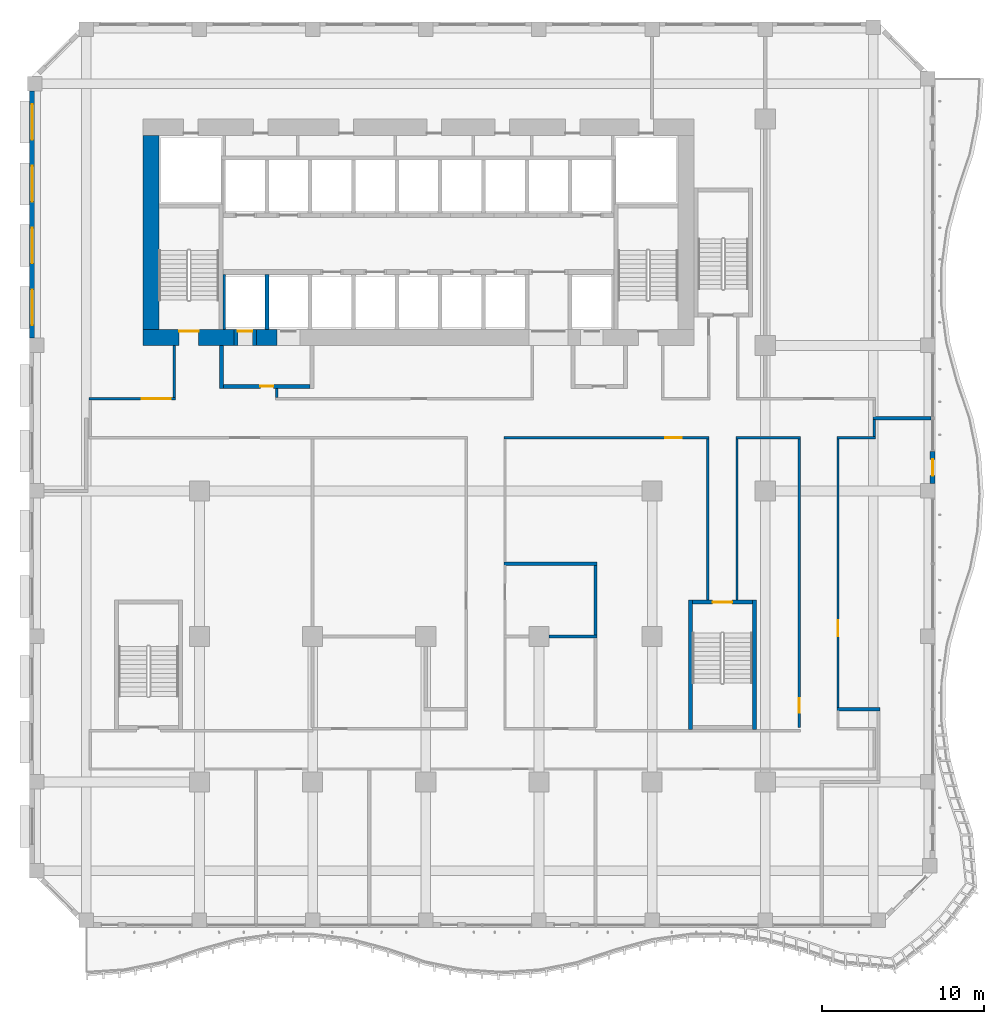
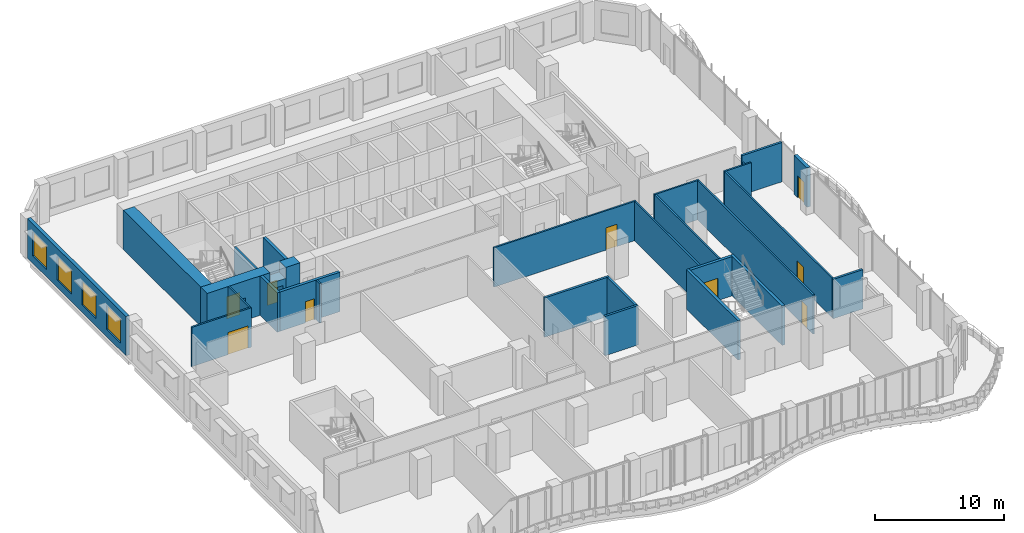
# One storey, part 13 of 26: 29 walls, 9 doors, 4 windows, 13 openings.
"""IFC4 building model written with IfcOpenShell, lengths in metres."""

from ifc_helpers import new_model, si_unit, direction, frame, frame_2d, origin, place, context, subcontext, project, spatial, rectangle, extrude, source, transform, mapped, material, layer, layer_set, type_object, element, fill, save


model = new_model("IFC4")

# Units and contexts
model_context = context("Model", 3, precision=1e-05, world=origin(), true_north=direction((0.0, 1.0)))
body_context = subcontext(model_context, "Body", "Model", "MODEL_VIEW")
ifc_project = project(units=[si_unit("LENGTHUNIT", "METRE"), si_unit("AREAUNIT", "SQUARE_METRE"), si_unit("VOLUMEUNIT", "CUBIC_METRE"), si_unit("PLANEANGLEUNIT", "RADIAN"), si_unit("MASSUNIT", "GRAM", prefix="KILO")], contexts=[model_context])

# Site, building, storey
site_placement = place(None, origin())
site = spatial("IfcSite", under=ifc_project, at=site_placement, CompositionType="ELEMENT")
building_placement = place(site_placement, origin())
building = spatial("IfcBuilding", under=site, at=building_placement, Name="Kilnfold Tower and Market Hall", CompositionType="ELEMENT")
storey_placement = place(building_placement, frame((0.0, 0.0, 83.199951171875)))
storey = spatial("IfcBuildingStorey", under=building, at=storey_placement, Name="L19", CompositionType="ELEMENT", Elevation=83.199951171875)

# Wall, opening, door
ifc_material_1 = material(Name="Gypsum board on steel studs", Category="steel")
ifc_layer_1 = layer(ifc_material_1, 0.14990234375)
ifc_layer_set_1 = layer_set([ifc_layer_1], Name="Gypsum board on steel studs")
wall_type_1 = type_object("IfcWallType", Name="WALL CORRIDOR 150", PredefinedType="PARTITIONING", material=ifc_layer_set_1)
wall_1_placement = place(storey_placement, frame((-19.324951171875, 4.699951171875, 0.0), z_axis=(0.0, 0.0, 1.0), x_axis=(1.0, 0.0, 0.0)))
wall_1 = element("IfcWall", 1, at=wall_1_placement, inside=storey, type_object=wall_type_1, Name="Partition LY13.7", PredefinedType="PARTITIONING", context=body_context, shape_type="SweptSolid", body=[
    extrude(rectangle(XDim=5.349853515625, YDim=0.14990234375, at=frame_2d((2.6748046875, 0.0))), origin(), (0.0, 0.0, 1.0), 3.719970703125),
])
opening_1_placement = place(wall_1_placement, frame((3.248046875, 0.0, 0.0)))
opening_1 = element("IfcOpeningElement", 2, at=opening_1_placement, cuts=wall_1, Name="Opening D5", PredefinedType="OPENING", context=body_context, shape_type="SweptSolid", body=[
    extrude(rectangle(XDim=1.800048828125, YDim=2.10009765625, at=frame_2d((0.89990234375, 1.050048828125))), frame((0.0, 0.0849609375, 0.0), z_axis=(0.0, -1.0, 0.0), x_axis=(1.0, 0.0, 0.0)), (0.0, 0.0, 1.0), 0.169921875),
])
ifc_material_2 = material(Name="Timber veneer door leaf in steel frame", Category="steel")
door_type_1 = type_object("IfcDoorType", Name="DOOR DOUBLE 1800 X2100", OperationType="NOTDEFINED", PredefinedType="DOOR", material=ifc_material_2)
door_1_placement = place(opening_1_placement, origin())
door_1 = element("IfcDoor", 3, at=door_1_placement, inside=storey, type_object=door_type_1, Name="Door D5", OperationType="DOUBLE_DOOR_SINGLE_SWING", OverallHeight=2.10009765625, OverallWidth=1.800048828125, PredefinedType="DOOR", context=body_context, shape_type="SweptSolid", body=[
    extrude(rectangle(XDim=1.800048828125, YDim=2.10009765625, at=frame_2d((0.89990234375, 1.050048828125))), frame((0.0, 0.02490234375, 0.0), z_axis=(0.0, -1.0, 0.0), x_axis=(1.0, 0.0, 0.0)), (0.0, 0.0, 1.0), 0.050048828125),
])
fill(opening_1, door_1)

# Walls
wall_2_placement = place(storey_placement, frame((-14.050048828125, 8.0, 0.0), z_axis=(0.0, 0.0, 1.0), x_axis=(0.0, -1.0, 0.0)))
element("IfcWall", 4, at=wall_2_placement, inside=storey, type_object=wall_type_1, Name="Partition LY13.8", PredefinedType="PARTITIONING", context=body_context, shape_type="SweptSolid", body=[
    extrude(rectangle(XDim=3.22509765625, YDim=0.14990234375, at=frame_2d((1.612548828125, 0.0))), origin(), (0.0, 0.0, 1.0), 3.719970703125),
])
wall_3_placement = place(storey_placement, frame((-7.72998046875, 4.77490234375, 0.0), z_axis=(0.0, 0.0, 1.0), x_axis=(0.0, 1.0, 0.0)))
element("IfcWall", 5, at=wall_3_placement, inside=storey, type_object=wall_type_1, Name="Partition LY13.9", PredefinedType="PARTITIONING", context=body_context, shape_type="SweptSolid", body=[
    extrude(rectangle(XDim=0.5751953125, YDim=0.14990234375, at=frame_2d((0.28759765625, 0.0))), origin(), (0.0, 0.0, 1.0), 3.719970703125),
])
wall_4_placement = place(storey_placement, frame((18.949951171875, 2.22509765625, 0.0), z_axis=(0.0, 0.0, 1.0), x_axis=(0.0, -1.0, 0.0)))
element("IfcWall", 6, at=wall_4_placement, inside=storey, type_object=wall_type_1, Name="Partition LY13.21", PredefinedType="PARTITIONING", context=body_context, shape_type="SweptSolid", body=[
    extrude(rectangle(XDim=9.97509765625, YDim=0.14990234375, at=frame_2d((4.987548828125, 0.0))), origin(), (0.0, 0.0, 1.0), 3.719970703125),
])

# Wall, opening, door
wall_5_placement = place(storey_placement, frame((6.324951171875, 2.300048828125, 0.0), z_axis=(0.0, 0.0, 1.0), x_axis=(1.0, 0.0, 0.0)))
wall_5 = element("IfcWall", 7, at=wall_5_placement, inside=storey, type_object=wall_type_1, Name="Partition LY13.22", PredefinedType="PARTITIONING", context=body_context, shape_type="SweptSolid", body=[
    extrude(rectangle(XDim=12.699951171875, YDim=0.14990234375, at=frame_2d((6.35009765625, 0.0))), origin(), (0.0, 0.0, 1.0), 3.719970703125),
])
opening_2_placement = place(wall_5_placement, frame((10.0, 0.0, 0.0)))
opening_2 = element("IfcOpeningElement", 8, at=opening_2_placement, cuts=wall_5, Name="Opening D1", PredefinedType="OPENING", context=body_context, shape_type="SweptSolid", body=[
    extrude(rectangle(XDim=1.0, YDim=2.10009765625, at=frame_2d((0.5, 1.050048828125))), frame((0.0, 0.0849609375, 0.0), z_axis=(0.0, -1.0, 0.0), x_axis=(1.0, 0.0, 0.0)), (0.0, 0.0, 1.0), 0.169921875),
])
ifc_material_3 = material(Name="Timber veneer door leaf in steel frame", Category="steel")
door_type_2 = type_object("IfcDoorType", Name="DOOR ENTRY 1000 X2100", OperationType="NOTDEFINED", PredefinedType="DOOR", material=ifc_material_3)
door_2_placement = place(opening_2_placement, origin())
door_2 = element("IfcDoor", 9, at=door_2_placement, inside=storey, type_object=door_type_2, Name="Door D1", OperationType="SINGLE_SWING_LEFT", OverallHeight=2.10009765625, OverallWidth=1.0, PredefinedType="DOOR", context=body_context, shape_type="SweptSolid", body=[
    extrude(rectangle(XDim=1.0, YDim=2.10009765625, at=frame_2d((0.5, 1.050048828125))), frame((0.0, 0.02490234375, 0.0), z_axis=(0.0, -1.0, 0.0), x_axis=(1.0, 0.0, 0.0)), (0.0, 0.0, 1.0), 0.050048828125),
])
fill(opening_2, door_2)

wall_6_placement = place(storey_placement, frame((24.60009765625, 2.22509765625, 0.0), z_axis=(0.0, 0.0, 1.0), x_axis=(0.0, -1.0, 0.0)))
wall_6 = element("IfcWall", 10, at=wall_6_placement, inside=storey, type_object=wall_type_1, Name="Partition LY13.31", PredefinedType="PARTITIONING", context=body_context, shape_type="SweptSolid", body=[
    extrude(rectangle(XDim=17.85009765625, YDim=0.14990234375, at=frame_2d((8.925048828125, 0.0))), origin(), (0.0, 0.0, 1.0), 3.719970703125),
])
opening_3_placement = place(wall_6_placement, frame((16.048095703125, 0.0, 0.0)))
opening_3 = element("IfcOpeningElement", 11, at=opening_3_placement, cuts=wall_6, Name="Opening D2", PredefinedType="OPENING", context=body_context, shape_type="SweptSolid", body=[
    extrude(rectangle(XDim=0.89990234375, YDim=2.10009765625, at=frame_2d((0.449951171875, 1.050048828125))), frame((0.0, 0.0849609375, 0.0), z_axis=(0.0, -1.0, 0.0), x_axis=(1.0, 0.0, 0.0)), (0.0, 0.0, 1.0), 0.169921875),
])
ifc_material_4 = material(Name="Timber veneer door leaf in steel frame", Category="steel")
door_type_3 = type_object("IfcDoorType", Name="DOOR ROOM 900 X2100", OperationType="NOTDEFINED", PredefinedType="DOOR", material=ifc_material_4)
door_3_placement = place(opening_3_placement, origin())
door_3 = element("IfcDoor", 12, at=door_3_placement, inside=storey, type_object=door_type_3, Name="Door D2", OperationType="SINGLE_SWING_LEFT", OverallHeight=2.10009765625, OverallWidth=0.89990234375, PredefinedType="DOOR", context=body_context, shape_type="SweptSolid", body=[
    extrude(rectangle(XDim=0.89990234375, YDim=2.10009765625, at=frame_2d((0.449951171875, 1.050048828125))), frame((0.0, 0.02490234375, 0.0), z_axis=(0.0, -1.0, 0.0), x_axis=(1.0, 0.0, 0.0)), (0.0, 0.0, 1.0), 0.050048828125),
])
fill(opening_3, door_3)

# Walls
wall_7_placement = place(storey_placement, frame((20.675048828125, 2.300048828125, 0.0), z_axis=(0.0, 0.0, 1.0), x_axis=(1.0, 0.0, 0.0)))
element("IfcWall", 13, at=wall_7_placement, inside=storey, type_object=wall_type_1, Name="Partition LY13.32", PredefinedType="PARTITIONING", context=body_context, shape_type="SweptSolid", body=[
    extrude(rectangle(XDim=4.0, YDim=0.14990234375, at=frame_2d((2.0, 0.0))), origin(), (0.0, 0.0, 1.0), 3.719970703125),
])
wall_8_placement = place(storey_placement, frame((20.75, -7.75, 0.0), z_axis=(0.0, 0.0, 1.0), x_axis=(0.0, 1.0, 0.0)))
element("IfcWall", 14, at=wall_8_placement, inside=storey, type_object=wall_type_1, Name="Partition LY13.33", PredefinedType="PARTITIONING", context=body_context, shape_type="SweptSolid", body=[
    extrude(rectangle(XDim=9.97509765625, YDim=0.14990234375, at=frame_2d((4.987548828125, 0.0))), origin(), (0.0, 0.0, 1.0), 3.719970703125),
])
wall_9_placement = place(storey_placement, frame((29.25, 2.375, 0.0), z_axis=(0.0, 0.0, 1.0), x_axis=(0.0, 1.0, 0.0)))
element("IfcWall", 15, at=wall_9_placement, inside=storey, type_object=wall_type_1, Name="Partition LY13.34", PredefinedType="PARTITIONING", context=body_context, shape_type="SweptSolid", body=[
    extrude(rectangle(XDim=1.034912109375, YDim=0.14990234375, at=frame_2d((0.517578125, 0.0))), origin(), (0.0, 0.0, 1.0), 3.070068359375),
])
wall_10_placement = place(storey_placement, frame((26.925048828125, 2.300048828125, 0.0), z_axis=(0.0, 0.0, 1.0), x_axis=(1.0, 0.0, 0.0)))
element("IfcWall", 16, at=wall_10_placement, inside=storey, type_object=wall_type_1, Name="Partition LY13.35", PredefinedType="PARTITIONING", context=body_context, shape_type="SweptSolid", body=[
    extrude(rectangle(XDim=2.39990234375, YDim=0.14990234375, at=frame_2d((1.199951171875, 0.0))), origin(), (0.0, 0.0, 1.0), 3.719970703125),
])

# Wall, opening, door
wall_11_placement = place(storey_placement, frame((27.0, -14.409912109375, 0.0), z_axis=(0.0, 0.0, 1.0), x_axis=(0.0, 1.0, 0.0)))
wall_11 = element("IfcWall", 17, at=wall_11_placement, inside=storey, type_object=wall_type_1, Name="Partition LY13.36", PredefinedType="PARTITIONING", context=body_context, shape_type="SweptSolid", body=[
    extrude(rectangle(XDim=16.635009765625, YDim=0.14990234375, at=frame_2d((8.3173828125, 0.0))), origin(), (0.0, 0.0, 1.0), 3.719970703125),
])
opening_4_placement = place(wall_11_placement, frame((4.409912109375, 0.0, 0.0)))
opening_4 = element("IfcOpeningElement", 18, at=opening_4_placement, cuts=wall_11, Name="Opening D1", PredefinedType="OPENING", context=body_context, shape_type="SweptSolid", body=[
    extrude(rectangle(XDim=1.0, YDim=2.10009765625, at=frame_2d((0.5, 1.050048828125))), frame((0.0, 0.0849609375, 0.0), z_axis=(0.0, -1.0, 0.0), x_axis=(1.0, 0.0, 0.0)), (0.0, 0.0, 1.0), 0.169921875),
])
door_4_placement = place(opening_4_placement, origin())
door_4 = element("IfcDoor", 19, at=door_4_placement, inside=storey, type_object=door_type_2, Name="Door D1", OperationType="SINGLE_SWING_LEFT", OverallHeight=2.10009765625, OverallWidth=1.0, PredefinedType="DOOR", context=body_context, shape_type="SweptSolid", body=[
    extrude(rectangle(XDim=1.0, YDim=2.10009765625, at=frame_2d((0.5, 1.050048828125))), frame((0.0, 0.02490234375, 0.0), z_axis=(0.0, -1.0, 0.0), x_axis=(1.0, 0.0, 0.0)), (0.0, 0.0, 1.0), 0.050048828125),
])
fill(opening_4, door_4)

# Walls
ifc_material_5 = material(Name="Gypsum board on steel studs", Category="steel")
ifc_layer_2 = layer(ifc_material_5, 0.199951171875)
ifc_layer_set_2 = layer_set([ifc_layer_2], Name="Gypsum board on steel studs")
wall_type_2 = type_object("IfcWallType", Name="WALL PARTY 200", PredefinedType="PARTITIONING", material=ifc_layer_set_2)
wall_12_placement = place(storey_placement, frame((26.926025390625, -14.5, 0.0), z_axis=(0.0, 0.0, 1.0), x_axis=(1.0, 0.0, 0.0)))
element("IfcWall", 20, at=wall_12_placement, inside=storey, type_object=wall_type_2, Name="Partition LY13.48", PredefinedType="PARTITIONING", context=body_context, shape_type="SweptSolid", body=[
    extrude(rectangle(XDim=2.674072265625, YDim=0.199951171875, at=frame_2d((1.3369140625, 0.0))), origin(), (0.0, 0.0, 1.0), 3.719970703125),
])
wall_13_placement = place(storey_placement, frame((9.125, -10.0, 0.0), z_axis=(0.0, 0.0, 1.0), x_axis=(1.0, 0.0, 0.0)))
element("IfcWall", 21, at=wall_13_placement, inside=storey, type_object=wall_type_2, Name="Partition LY13.53", PredefinedType="PARTITIONING", context=body_context, shape_type="SweptSolid", body=[
    extrude(rectangle(XDim=2.97509765625, YDim=0.199951171875, at=frame_2d((1.487548828125, 0.0))), origin(), (0.0, 0.0, 1.0), 3.719970703125),
])
wall_14_placement = place(storey_placement, frame((12.10009765625, -5.5, 0.0), z_axis=(0.0, 0.0, 1.0), x_axis=(-1.0, 0.0, 0.0)))
element("IfcWall", 22, at=wall_14_placement, inside=storey, type_object=wall_type_2, Name="Partition LY13.55", PredefinedType="PARTITIONING", context=body_context, shape_type="SweptSolid", body=[
    extrude(rectangle(XDim=5.774169921875, YDim=0.199951171875, at=frame_2d((2.88720703125, 0.0))), origin(), (0.0, 0.0, 1.0), 3.719970703125),
])
wall_15_placement = place(storey_placement, frame((12.0, -9.89990234375, 0.0), z_axis=(0.0, 0.0, 1.0), x_axis=(0.0, 1.0, 0.0)))
element("IfcWall", 23, at=wall_15_placement, inside=storey, type_object=wall_type_2, Name="Partition LY13.56", PredefinedType="PARTITIONING", context=body_context, shape_type="SweptSolid", body=[
    extrude(rectangle(XDim=4.2998046875, YDim=0.199951171875, at=frame_2d((2.14990234375, 0.0))), origin(), (0.0, 0.0, 1.0), 3.719970703125),
])
wall_16_placement = place(storey_placement, frame((29.176025390625, 3.5, 0.0), z_axis=(0.0, 0.0, 1.0), x_axis=(1.0, 0.0, 0.0)))
element("IfcWall", 24, at=wall_16_placement, inside=storey, type_object=wall_type_2, Name="Partition LY13.60", PredefinedType="PARTITIONING", context=body_context, shape_type="SweptSolid", body=[
    extrude(rectangle(XDim=3.573974609375, YDim=0.199951171875, at=frame_2d((1.787109375, 0.0))), origin(), (0.0, 0.0, 1.0), 3.719970703125),
])

# Wall, opening, door
ifc_material_6 = material(Name="Concrete C80", Category="concrete")
ifc_layer_3 = layer(ifc_material_6, 1.0)
ifc_layer_set_3 = layer_set([ifc_layer_3], Name="Concrete C80")
wall_type_3 = type_object("IfcWallType", Name="CORE WALL 1000 C80", PredefinedType="SHEAR", material=ifc_layer_set_3)
shared_shape_1 = source(origin(), body_context, "Body", "SweptSolid", [
    extrude(rectangle(XDim=5.6298828125, YDim=1.0, at=frame_2d((2.81494140625, 0.0))), origin(), (0.0, 0.0, 1.0), 3.719970703125),
])
wall_17_placement = place(storey_placement, frame((-16.0, 8.5, 0.0), z_axis=(0.0, 0.0, 1.0), x_axis=(1.0, 0.0, 0.0)))
wall_17 = element("IfcWall", 25, at=wall_17_placement, inside=storey, type_object=wall_type_3, Name="Core outer wall south", PredefinedType="SHEAR", context=body_context, shape_type="MappedRepresentation", body=[
    mapped(shared_shape_1, transform((0.0, 0.0, 0.0))),
])
opening_5_placement = place(wall_17_placement, frame((2.25, 0.0, 0.0)))
opening_5 = element("IfcOpeningElement", 26, at=opening_5_placement, cuts=wall_17, Name="Opening SD1", PredefinedType="OPENING", context=body_context, shape_type="SweptSolid", body=[
    extrude(rectangle(XDim=1.199951171875, YDim=2.10009765625, at=frame_2d((0.60009765625, 1.050048828125))), frame((0.0, 0.510009765625, 0.0), z_axis=(0.0, -1.0, 0.0), x_axis=(1.0, 0.0, 0.0)), (0.0, 0.0, 1.0), 1.02001953125),
])
ifc_material_7 = material(Name="Steel door set with fire-resisting leaf", Category="steel")
door_type_4 = type_object("IfcDoorType", Name="STAIR FLOOR DOOR 1200X2100", OperationType="NOTDEFINED", PredefinedType="DOOR", material=ifc_material_7)
door_5_placement = place(opening_5_placement, origin())
door_5 = element("IfcDoor", 27, at=door_5_placement, inside=storey, type_object=door_type_4, Name="Exit stair ST1 door", OperationType="DOUBLE_DOOR_SINGLE_SWING", OverallHeight=2.10009765625, OverallWidth=1.199951171875, PredefinedType="DOOR", context=body_context, shape_type="SweptSolid", body=[
    extrude(rectangle(XDim=1.199951171875, YDim=2.10009765625, at=frame_2d((0.60009765625, 1.050048828125))), frame((0.0, 0.40478515625, 0.0), z_axis=(0.0, -1.0, 0.0), x_axis=(1.0, 0.0, 0.0)), (0.0, 0.0, 1.0), 0.050048828125),
])
fill(opening_5, door_5)

# Walls
shared_shape_2 = source(origin(), body_context, "Body", "SweptSolid", [
    extrude(rectangle(XDim=1.280029296875, YDim=1.0, at=frame_2d((0.64013671875, 0.0))), origin(), (0.0, 0.0, 1.0), 3.719970703125),
])
wall_18_placement = place(storey_placement, frame((-8.969970703125, 8.5, 0.0), z_axis=(0.0, 0.0, 1.0), x_axis=(1.0, 0.0, 0.0)))
element("IfcWall", 28, at=wall_18_placement, inside=storey, type_object=wall_type_3, Name="Core outer wall south", PredefinedType="SHEAR", context=body_context, shape_type="MappedRepresentation", body=[
    mapped(shared_shape_2, transform((0.0, 0.0, 0.0))),
])
shared_shape_3 = source(origin(), body_context, "Body", "SweptSolid", [
    extrude(rectangle(XDim=12.0, YDim=1.0, at=frame_2d((6.0, 0.0))), origin(), (0.0, 0.0, 1.0), 3.719970703125),
])
wall_19_placement = place(storey_placement, frame((-15.5, 9.0, 0.0), z_axis=(0.0, 0.0, 1.0), x_axis=(0.0, 1.0, 0.0)))
element("IfcWall", 29, at=wall_19_placement, inside=storey, type_object=wall_type_3, Name="Core outer wall west", PredefinedType="SHEAR", context=body_context, shape_type="MappedRepresentation", body=[
    mapped(shared_shape_3, transform((0.0, 0.0, 0.0))),
])

# Wall, opening, door
ifc_material_8 = material(Name="Concrete C80", Category="concrete")
ifc_layer_4 = layer(ifc_material_8, 0.25)
ifc_layer_set_4 = layer_set([ifc_layer_4], Name="Concrete C80")
wall_type_4 = type_object("IfcWallType", Name="CORE WALL 250 C80", PredefinedType="SHEAR", material=ifc_layer_set_4)
shared_shape_4 = source(origin(), body_context, "Body", "SweptSolid", [
    extrude(rectangle(XDim=3.699951171875, YDim=0.25, at=frame_2d((1.85009765625, 0.0))), origin(), (0.0, 0.0, 1.0), 3.719970703125),
])
wall_20_placement = place(storey_placement, frame((18.0, -7.875, 0.0), z_axis=(0.0, 0.0, 1.0), x_axis=(1.0, 0.0, 0.0)))
wall_20 = element("IfcWall", 30, at=wall_20_placement, inside=storey, type_object=wall_type_4, Name="Stair enclosure ST4", PredefinedType="SHEAR", context=body_context, shape_type="MappedRepresentation", body=[
    mapped(shared_shape_4, transform((0.0, 0.0, 0.0))),
])
opening_6_placement = place(wall_20_placement, frame((1.25, 0.0, 0.0)))
opening_6 = element("IfcOpeningElement", 31, at=opening_6_placement, cuts=wall_20, Name="Opening SD1", PredefinedType="OPENING", context=body_context, shape_type="SweptSolid", body=[
    extrude(rectangle(XDim=1.199951171875, YDim=2.10009765625, at=frame_2d((0.60009765625, 1.050048828125))), frame((0.0, 0.135009765625, 0.0), z_axis=(0.0, -1.0, 0.0), x_axis=(1.0, 0.0, 0.0)), (0.0, 0.0, 1.0), 0.27001953125),
])
door_6_placement = place(opening_6_placement, origin())
door_6 = element("IfcDoor", 32, at=door_6_placement, inside=storey, type_object=door_type_4, Name="Exit stair ST4 door", OperationType="DOUBLE_DOOR_SINGLE_SWING", OverallHeight=2.10009765625, OverallWidth=1.199951171875, PredefinedType="DOOR", context=body_context, shape_type="SweptSolid", body=[
    extrude(rectangle(XDim=1.199951171875, YDim=2.10009765625, at=frame_2d((0.60009765625, 1.050048828125))), frame((0.0, 0.02490234375, 0.0), z_axis=(0.0, -1.0, 0.0), x_axis=(1.0, 0.0, 0.0)), (0.0, 0.0, 1.0), 0.050048828125),
])
fill(opening_6, door_6)

# Walls
shared_shape_5 = source(origin(), body_context, "Body", "SweptSolid", [
    extrude(rectangle(XDim=8.0, YDim=0.25, at=frame_2d((4.0, 0.0))), origin(), (0.0, 0.0, 1.0), 3.719970703125),
])
for number, where, z_axis, x_axis, name in (
    (33, (17.875, -15.75, 0.0), (0.0, 0.0, 1.0), (0.0, 1.0, 0.0), "Stair enclosure ST4"),
    (34, (21.824951171875, -15.75, 0.0), (0.0, 0.0, 1.0), (0.0, 1.0, 0.0), "Stair enclosure ST4"),
):
    element("IfcWall", number, at=place(storey_placement, frame(where, z_axis=z_axis, x_axis=x_axis)), inside=storey, type_object=wall_type_4, Name=name, PredefinedType="SHEAR", context=body_context, shape_type="MappedRepresentation", body=[
        mapped(shared_shape_5, transform((0.0, 0.0, 0.0))),
    ])

# Wall, opening, door
ifc_material_9 = material(Name="Precast concrete C50/60", Category="concrete")
ifc_layer_5 = layer(ifc_material_9, 0.300048828125)
ifc_layer_set_5 = layer_set([ifc_layer_5], Name="Precast concrete C50/60")
wall_type_5 = type_object("IfcWallType", Name="PRECAST WALL 300", PredefinedType="SOLIDWALL", material=ifc_layer_set_5)
shared_shape_6 = source(origin(), body_context, "Body", "SweptSolid", [
    extrude(rectangle(XDim=2.0, YDim=0.300048828125, at=frame_2d((1.0, 0.0))), origin(), (0.0, 0.0, 1.0), 3.719970703125),
])
wall_21_placement = place(storey_placement, frame((32.85009765625, -0.550048828125, 0.0), z_axis=(0.0, 0.0, 1.0), x_axis=(0.0, 1.0, 0.0)))
wall_21 = element("IfcWall", 35, at=wall_21_placement, inside=storey, type_object=wall_type_5, Name="External wall L19 E", PredefinedType="SOLIDWALL", context=body_context, shape_type="MappedRepresentation", body=[
    mapped(shared_shape_6, transform((0.0, 0.0, 0.0))),
])
opening_7_placement = place(wall_21_placement, frame((0.5, 0.0, 0.0)))
opening_7 = element("IfcOpeningElement", 36, at=opening_7_placement, cuts=wall_21, Name="Opening BD1", PredefinedType="OPENING", context=body_context, shape_type="SweptSolid", body=[
    extrude(rectangle(XDim=1.0, YDim=2.10009765625, at=frame_2d((0.5, 1.050048828125))), frame((0.0, 0.16015625, 0.0), z_axis=(0.0, -1.0, 0.0), x_axis=(1.0, 0.0, 0.0)), (0.0, 0.0, 1.0), 0.320068359375),
])
ifc_material_10 = material(Name="Aluminium frame and double glazing", Category="aluminium")
door_type_5 = type_object("IfcDoorType", Name="BALCONY DOOR 1000X2100", OperationType="NOTDEFINED", PredefinedType="DOOR", material=ifc_material_10)
door_7_placement = place(opening_7_placement, origin())
door_7 = element("IfcDoor", 37, at=door_7_placement, inside=storey, type_object=door_type_5, Name="Balcony door BD1 L19 E-1", OperationType="SINGLE_SWING_LEFT", OverallHeight=2.10009765625, OverallWidth=1.0, PredefinedType="DOOR", context=body_context, shape_type="SweptSolid", body=[
    extrude(rectangle(XDim=1.0, YDim=2.10009765625, at=frame_2d((0.5, 1.050048828125))), frame((0.0, 0.02490234375, 0.0), z_axis=(0.0, -1.0, 0.0), x_axis=(1.0, 0.0, 0.0)), (0.0, 0.0, 1.0), 0.050048828125),
])
fill(opening_7, door_7)

# Wall, openings, windows
shared_shape_7 = source(origin(), body_context, "Body", "SweptSolid", [
    extrude(rectangle(XDim=15.28173828125, YDim=0.300048828125, at=frame_2d((7.640869140625, 0.0))), origin(), (0.0, 0.0, 1.0), 3.719970703125),
])
wall_22_placement = place(storey_placement, frame((-22.85009765625, 23.731689453125, 0.0), z_axis=(0.0, 0.0, 1.0), x_axis=(0.0, -1.0, 0.0)))
wall_22 = element("IfcWall", 38, at=wall_22_placement, inside=storey, type_object=wall_type_5, Name="External wall L19 W", PredefinedType="SOLIDWALL", context=body_context, shape_type="MappedRepresentation", body=[
    mapped(shared_shape_7, transform((0.0, 0.0, 0.0))),
])
opening_8_placement = place(wall_22_placement, frame((0.810302734375, 0.0, 0.699951171875)))
opening_8 = element("IfcOpeningElement", 39, at=opening_8_placement, cuts=wall_22, Name="Opening W1", PredefinedType="OPENING", context=body_context, shape_type="SweptSolid", body=[
    extrude(rectangle(XDim=2.199951171875, YDim=2.25, at=frame_2d((1.10009765625, 1.125))), frame((0.0, 0.16015625, 0.0), z_axis=(0.0, -1.0, 0.0), x_axis=(1.0, 0.0, 0.0)), (0.0, 0.0, 1.0), 0.320068359375),
])
opening_9_placement = place(wall_22_placement, frame((4.630615234375, 0.0, 0.699951171875)))
opening_9 = element("IfcOpeningElement", 40, at=opening_9_placement, cuts=wall_22, Name="Opening W1", PredefinedType="OPENING", context=body_context, shape_type="SweptSolid", body=[
    extrude(rectangle(XDim=2.199951171875, YDim=2.25, at=frame_2d((1.10009765625, 1.125))), frame((0.0, 0.16015625, 0.0), z_axis=(0.0, -1.0, 0.0), x_axis=(1.0, 0.0, 0.0)), (0.0, 0.0, 1.0), 0.320068359375),
])
opening_10_placement = place(wall_22_placement, frame((8.451171875, 0.0, 0.699951171875)))
opening_10 = element("IfcOpeningElement", 41, at=opening_10_placement, cuts=wall_22, Name="Opening W1", PredefinedType="OPENING", context=body_context, shape_type="SweptSolid", body=[
    extrude(rectangle(XDim=2.199951171875, YDim=2.25, at=frame_2d((1.10009765625, 1.125))), frame((0.0, 0.16015625, 0.0), z_axis=(0.0, -1.0, 0.0), x_axis=(1.0, 0.0, 0.0)), (0.0, 0.0, 1.0), 0.320068359375),
])
opening_11_placement = place(wall_22_placement, frame((12.271484375, 0.0, 0.699951171875)))
opening_11 = element("IfcOpeningElement", 42, at=opening_11_placement, cuts=wall_22, Name="Opening W1", PredefinedType="OPENING", context=body_context, shape_type="SweptSolid", body=[
    extrude(rectangle(XDim=2.199951171875, YDim=2.25, at=frame_2d((1.10009765625, 1.125))), frame((0.0, 0.16015625, 0.0), z_axis=(0.0, -1.0, 0.0), x_axis=(1.0, 0.0, 0.0)), (0.0, 0.0, 1.0), 0.320068359375),
])
ifc_material_11 = material(Name="Aluminium frame and double glazing", Category="aluminium")
window_type = type_object("IfcWindowType", Name="WINDOW W1 2200X2250", PartitioningType="SINGLE_PANEL", PredefinedType="WINDOW", material=ifc_material_11)
window_1_placement = place(opening_8_placement, origin())
window_1 = element("IfcWindow", 43, at=window_1_placement, inside=storey, type_object=window_type, Name="Window W1 L19 W-1", OverallHeight=2.25, OverallWidth=2.199951171875, PartitioningType="SINGLE_PANEL", PredefinedType="WINDOW", context=body_context, shape_type="SweptSolid", body=[
    extrude(rectangle(XDim=2.199951171875, YDim=2.25, at=frame_2d((1.10009765625, 1.125))), frame((0.0, 0.030029296875, 0.0), z_axis=(0.0, -1.0, 0.0), x_axis=(1.0, 0.0, 0.0)), (0.0, 0.0, 1.0), 0.06005859375),
])
fill(opening_8, window_1)
window_2_placement = place(opening_9_placement, origin())
window_2 = element("IfcWindow", 44, at=window_2_placement, inside=storey, type_object=window_type, Name="Window W1 L19 W-2", OverallHeight=2.25, OverallWidth=2.199951171875, PartitioningType="SINGLE_PANEL", PredefinedType="WINDOW", context=body_context, shape_type="SweptSolid", body=[
    extrude(rectangle(XDim=2.199951171875, YDim=2.25, at=frame_2d((1.10009765625, 1.125))), frame((0.0, 0.030029296875, 0.0), z_axis=(0.0, -1.0, 0.0), x_axis=(1.0, 0.0, 0.0)), (0.0, 0.0, 1.0), 0.06005859375),
])
fill(opening_9, window_2)
window_3_placement = place(opening_10_placement, origin())
window_3 = element("IfcWindow", 45, at=window_3_placement, inside=storey, type_object=window_type, Name="Window W1 L19 W-3", OverallHeight=2.25, OverallWidth=2.199951171875, PartitioningType="SINGLE_PANEL", PredefinedType="WINDOW", context=body_context, shape_type="SweptSolid", body=[
    extrude(rectangle(XDim=2.199951171875, YDim=2.25, at=frame_2d((1.10009765625, 1.125))), frame((0.0, 0.030029296875, 0.0), z_axis=(0.0, -1.0, 0.0), x_axis=(1.0, 0.0, 0.0)), (0.0, 0.0, 1.0), 0.06005859375),
])
fill(opening_10, window_3)
window_4_placement = place(opening_11_placement, origin())
window_4 = element("IfcWindow", 46, at=window_4_placement, inside=storey, type_object=window_type, Name="Window W1 L19 W-4", OverallHeight=2.25, OverallWidth=2.199951171875, PartitioningType="SINGLE_PANEL", PredefinedType="WINDOW", context=body_context, shape_type="SweptSolid", body=[
    extrude(rectangle(XDim=2.199951171875, YDim=2.25, at=frame_2d((1.10009765625, 1.125))), frame((0.0, 0.030029296875, 0.0), z_axis=(0.0, -1.0, 0.0), x_axis=(1.0, 0.0, 0.0)), (0.0, 0.0, 1.0), 0.06005859375),
])
fill(opening_11, window_4)

# Wall, opening, door
ifc_material_12 = material(Name="Gypsum shaft wall system")
ifc_layer_6 = layer(ifc_material_12, 1.0)
ifc_layer_set_6 = layer_set([ifc_layer_6], Name="Gypsum shaft wall system")
wall_type_6 = type_object("IfcWallType", Name="LOBBY WALL 1000", PredefinedType="PARTITIONING", material=ifc_layer_set_6)
shared_shape_8 = source(origin(), body_context, "Body", "SweptSolid", [
    extrude(rectangle(XDim=1.400146484375, YDim=1.0, at=frame_2d((0.7001953125, 0.0))), origin(), (0.0, 0.0, 1.0), 2.699951171875),
])
wall_23_placement = place(storey_placement, frame((-10.3701171875, 8.5, 0.0), z_axis=(0.0, 0.0, 1.0), x_axis=(1.0, 0.0, 0.0)))
wall_23 = element("IfcWall", 47, at=wall_23_placement, inside=storey, type_object=wall_type_6, Name="Core wall infill", PredefinedType="PARTITIONING", context=body_context, shape_type="MappedRepresentation", body=[
    mapped(shared_shape_8, transform((0.0, 0.0, 0.0))),
])
opening_12_placement = place(wall_23_placement, frame((0.25, 0.0, 0.0)))
opening_12 = element("IfcOpeningElement", 48, at=opening_12_placement, cuts=wall_23, Name="Opening LD1", PredefinedType="OPENING", context=body_context, shape_type="SweptSolid", body=[
    extrude(rectangle(XDim=0.89990234375, YDim=2.10009765625, at=frame_2d((0.449951171875, 1.050048828125))), frame((0.0, 0.510009765625, 0.0), z_axis=(0.0, -1.0, 0.0), x_axis=(1.0, 0.0, 0.0)), (0.0, 0.0, 1.0), 1.02001953125),
])
ifc_material_13 = material(Name="Steel door set with fire-resisting leaf", Category="steel")
door_type_6 = type_object("IfcDoorType", Name="FIREFIGHTING LANDING DOOR 900X2100", OperationType="NOTDEFINED", PredefinedType="DOOR", material=ifc_material_13)
door_8_placement = place(opening_12_placement, origin())
door_8 = element("IfcDoor", 49, at=door_8_placement, inside=storey, type_object=door_type_6, Name="Landing door FF1", OperationType="SLIDING_TO_LEFT", OverallHeight=2.10009765625, OverallWidth=0.89990234375, PredefinedType="DOOR", context=body_context, shape_type="SweptSolid", body=[
    extrude(rectangle(XDim=0.89990234375, YDim=2.10009765625, at=frame_2d((0.449951171875, 1.050048828125))), frame((0.0, 0.40478515625, 0.0), z_axis=(0.0, -1.0, 0.0), x_axis=(1.0, 0.0, 0.0)), (0.0, 0.0, 1.0), 0.050048828125),
])
fill(opening_12, door_8)

# Wall
ifc_material_14 = material(Name="Gypsum shaft wall system")
ifc_layer_7 = layer(ifc_material_14, 0.25)
ifc_layer_set_7 = layer_set([ifc_layer_7], Name="Gypsum shaft wall system")
wall_type_7 = type_object("IfcWallType", Name="LOBBY WALL 250", PredefinedType="PARTITIONING", material=ifc_layer_set_7)
shared_shape_9 = source(origin(), body_context, "Body", "SweptSolid", [
    extrude(rectangle(XDim=2.64990234375, YDim=0.25, at=frame_2d((1.324951171875, 0.0))), origin(), (0.0, 0.0, 1.0), 3.719970703125),
])
wall_24_placement = place(storey_placement, frame((-11.135009765625, 5.35009765625, 0.0), z_axis=(0.0, 0.0, 1.0), x_axis=(0.0, 1.0, 0.0)))
element("IfcWall", 50, at=wall_24_placement, inside=storey, type_object=wall_type_7, Name="Firefighting lobby wall", PredefinedType="PARTITIONING", context=body_context, shape_type="MappedRepresentation", body=[
    mapped(shared_shape_9, transform((0.0, 0.0, 0.0))),
])

# Wall, opening, door
shared_shape_10 = source(origin(), body_context, "Body", "SweptSolid", [
    extrude(rectangle(XDim=5.360107421875, YDim=0.25, at=frame_2d((2.68017578125, 0.0))), origin(), (0.0, 0.0, 1.0), 3.719970703125),
])
wall_25_placement = place(storey_placement, frame((-11.010009765625, 5.47509765625, 0.0), z_axis=(0.0, 0.0, 1.0), x_axis=(1.0, 0.0, 0.0)))
wall_25 = element("IfcWall", 51, at=wall_25_placement, inside=storey, type_object=wall_type_7, Name="Firefighting lobby wall", PredefinedType="PARTITIONING", context=body_context, shape_type="MappedRepresentation", body=[
    mapped(shared_shape_10, transform((0.0, 0.0, 0.0))),
])
opening_13_placement = place(wall_25_placement, frame((2.280029296875, 0.0, 0.0)))
opening_13 = element("IfcOpeningElement", 52, at=opening_13_placement, cuts=wall_25, Name="Opening VD1", PredefinedType="OPENING", context=body_context, shape_type="SweptSolid", body=[
    extrude(rectangle(XDim=0.800048828125, YDim=2.0, at=frame_2d((0.39990234375, 1.0))), frame((0.0, 0.135009765625, 0.0), z_axis=(0.0, -1.0, 0.0), x_axis=(1.0, 0.0, 0.0)), (0.0, 0.0, 1.0), 0.27001953125),
])
ifc_material_15 = material(Name="Steel door set with fire-resisting leaf", Category="steel")
door_type_7 = type_object("IfcDoorType", Name="FIREFIGHTING LOBBY DOOR 800X2000", OperationType="NOTDEFINED", PredefinedType="DOOR", material=ifc_material_15)
door_9_placement = place(opening_13_placement, origin())
door_9 = element("IfcDoor", 53, at=door_9_placement, inside=storey, type_object=door_type_7, Name="Firefighting lobby door", OperationType="SINGLE_SWING_LEFT", OverallHeight=2.0, OverallWidth=0.800048828125, PredefinedType="DOOR", context=body_context, shape_type="SweptSolid", body=[
    extrude(rectangle(XDim=0.800048828125, YDim=2.0, at=frame_2d((0.39990234375, 1.0))), frame((0.0, 0.02490234375, 0.0), z_axis=(0.0, -1.0, 0.0), x_axis=(1.0, 0.0, 0.0)), (0.0, 0.0, 1.0), 0.050048828125),
])
fill(opening_13, door_9)

# Walls
ifc_material_16 = material(Name="Gypsum shaft wall system")
ifc_layer_8 = layer(ifc_material_16, 0.25)
ifc_layer_set_8 = layer_set([ifc_layer_8], Name="Gypsum shaft wall system")
wall_type_8 = type_object("IfcWallType", Name="SHAFT WALL 250", PredefinedType="PARTITIONING", material=ifc_layer_set_8)
shared_shape_11 = source(origin(), body_context, "Body", "SweptSolid", [
    extrude(rectangle(XDim=3.39990234375, YDim=0.25, at=frame_2d((1.699951171875, 0.0))), origin(), (0.0, 0.0, 1.0), 3.719970703125),
])
wall_26_placement = place(storey_placement, frame((-8.330078125, 9.0, 0.0), z_axis=(0.0, 0.0, 1.0), x_axis=(0.0, 1.0, 0.0)))
element("IfcWall", 54, at=wall_26_placement, inside=storey, type_object=wall_type_8, Name="Lift shaft wall", PredefinedType="PARTITIONING", context=body_context, shape_type="MappedRepresentation", body=[
    mapped(shared_shape_11, transform((0.0, 0.0, 0.0))),
])
ifc_material_17 = material(Name="Gypsum shaft wall system")
ifc_layer_9 = layer(ifc_material_17, 0.1650390625)
ifc_layer_set_9 = layer_set([ifc_layer_9], Name="Gypsum shaft wall system")
wall_type_9 = type_object("IfcWallType", Name="SHAFT WALL 165", PredefinedType="PARTITIONING", material=ifc_layer_set_9)
shared_shape_12 = source(origin(), body_context, "Body", "SweptSolid", [
    extrude(rectangle(XDim=3.39990234375, YDim=0.1650390625, at=frame_2d((1.699951171875, 0.0))), origin(), (0.0, 0.0, 1.0), 3.719970703125),
])
wall_27_placement = place(storey_placement, frame((-10.967529296875, 9.0, 0.0), z_axis=(0.0, 0.0, 1.0), x_axis=(0.0, 1.0, 0.0)))
element("IfcWall", 55, at=wall_27_placement, inside=storey, type_object=wall_type_9, Name="Lift shaft wall", PredefinedType="PARTITIONING", context=body_context, shape_type="MappedRepresentation", body=[
    mapped(shared_shape_12, transform((0.0, 0.0, 0.0))),
])

save(model, "model.ifc")
